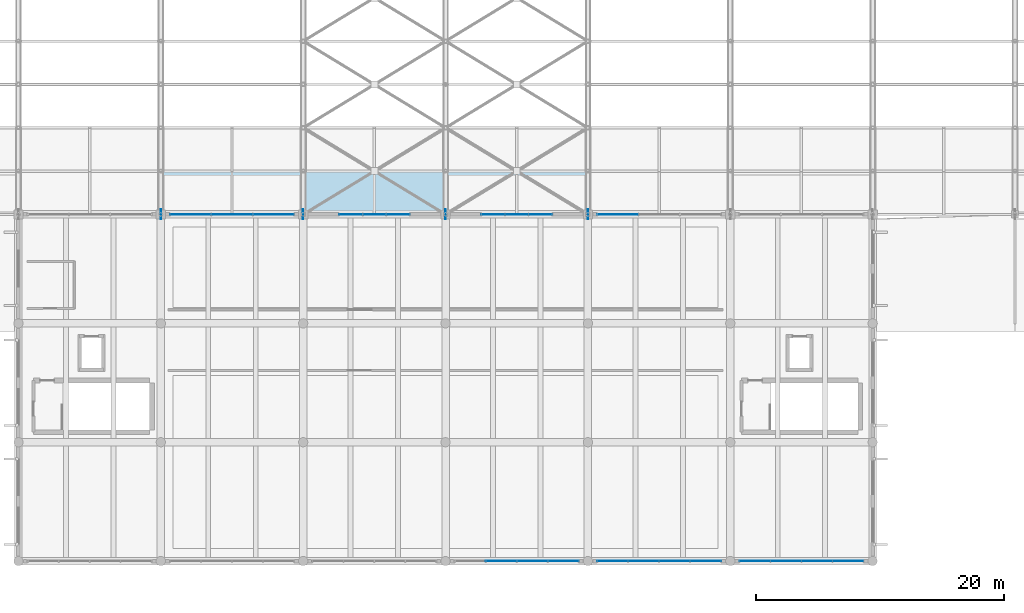
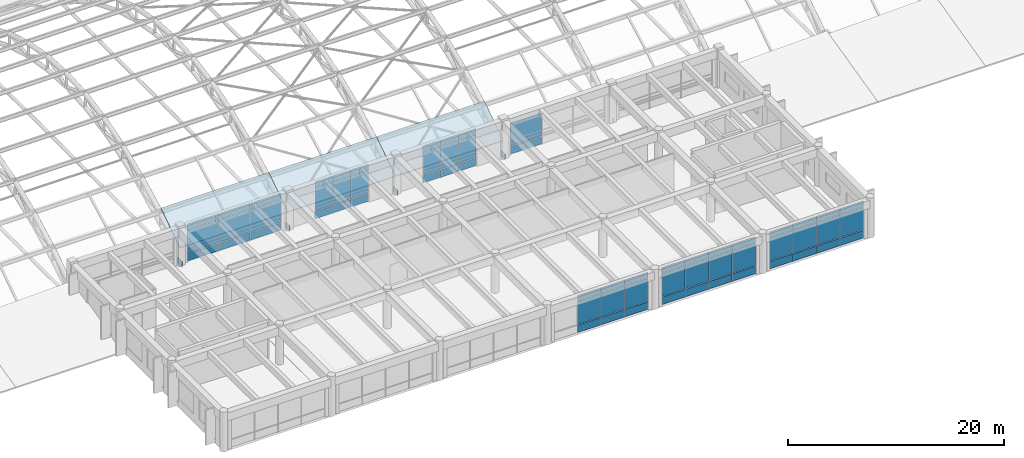
# One storey, part 125 of 154: 66 plates, 3 slabs, 7 elements without a shape of their own.
"""IFC4 building model written with IfcOpenShell, lengths in metres."""

from ifc_helpers import new_model, si_unit, direction, frame, origin, origin_2d, place, context, subcontext, project, spatial, polyline, rectangle, outline, extrude, material, layer, layer_set, type_object, element, aggregate, save


model = new_model("IFC4")

# Units and contexts
model_context = context("Model", 3, precision=1e-05, world=origin(), true_north=direction((0.0, 1.0)))
body_context = subcontext(model_context, "Body", "Model", "MODEL_VIEW")
ifc_project = project(units=[si_unit("LENGTHUNIT", "METRE"), si_unit("AREAUNIT", "SQUARE_METRE"), si_unit("VOLUMEUNIT", "CUBIC_METRE"), si_unit("PLANEANGLEUNIT", "RADIAN"), si_unit("MASSUNIT", "GRAM", prefix="KILO")], contexts=[model_context])

# Site, building, storey
site_placement = place(None, origin())
site = spatial("IfcSite", under=ifc_project, at=site_placement, CompositionType="ELEMENT")
building_placement = place(site_placement, origin())
building = spatial("IfcBuilding", under=site, at=building_placement, Name="Ologun Quay Terminus", CompositionType="ELEMENT")
storey_placement = place(building_placement, frame((0.0, 0.0, 13.800048828125)))
storey = spatial("IfcBuildingStorey", under=building, at=storey_placement, Name="L03", CompositionType="ELEMENT", Elevation=13.800048828125)

# Curtain wall, plates
ifc_material_1 = material(Name="Aluminium 6063-T6", Category="aluminium")
curtain_wall_type_1 = type_object("IfcCurtainWallType", Name="South Pavilion Reading Hall Curtain Wall 10700x4150", PredefinedType="USERDEFINED", material=ifc_material_1)
curtain_wall_1_placement = place(storey_placement, origin())
curtain_wall_1 = element("IfcCurtainWall", 1, at=curtain_wall_1_placement, inside=storey, type_object=curtain_wall_type_1, Name="CW-06 Curtain Wall CW-L03-037", ObjectType="UNITISED CURTAIN WALL", PredefinedType="USERDEFINED")
ifc_material_2 = material(Name="Aluminium 6063-T6", Category="aluminium")
ifc_layer_1 = layer(ifc_material_2, 0.06005859375)
ifc_layer_set_1 = layer_set([ifc_layer_1], Name="Aluminium 6063-T6")
plate_type_1 = type_object("IfcPlateType", Name="Anodised Bronze Spandrel Panel 60", PredefinedType="CURTAIN_PANEL", material=ifc_layer_set_1)
plate_1_placement = place(storey_placement, frame((96.498779296875, 8.0, 0.02978515625), z_axis=(0.0, 0.0, 1.0), x_axis=(1.0, 0.0, 0.0)))
plate_1 = element("IfcPlate", 2, at=plate_1_placement, type_object=plate_type_1, Name="CW-L03-037 Panel B2-1", PredefinedType="CURTAIN_PANEL", context=body_context, shape_type="SweptSolid", body=[
    extrude(rectangle(XDim=2.50244140625, YDim=0.06005859375, at=origin_2d()), origin(), (0.0, 0.0, 1.0), 0.840087890625),
])
plate_2_placement = place(storey_placement, frame((99.001220703125, 8.0, 0.02978515625), z_axis=(0.0, 0.0, 1.0), x_axis=(1.0, 0.0, 0.0)))
plate_2 = element("IfcPlate", 3, at=plate_2_placement, type_object=plate_type_1, Name="CW-L03-037 Panel B3-1", PredefinedType="CURTAIN_PANEL", context=body_context, shape_type="SweptSolid", body=[
    extrude(rectangle(XDim=2.50244140625, YDim=0.06005859375, at=origin_2d()), origin(), (0.0, 0.0, 1.0), 0.840087890625),
])
plate_3_placement = place(storey_placement, frame((101.503662109375, 8.0, 0.02978515625), z_axis=(0.0, 0.0, 1.0), x_axis=(1.0, 0.0, 0.0)))
plate_3 = element("IfcPlate", 4, at=plate_3_placement, type_object=plate_type_1, Name="CW-L03-037 Panel B4-1", PredefinedType="CURTAIN_PANEL", context=body_context, shape_type="SweptSolid", body=[
    extrude(rectangle(XDim=2.50244140625, YDim=0.06005859375, at=origin_2d()), origin(), (0.0, 0.0, 1.0), 0.840087890625),
])

curtain_wall_2_placement = place(storey_placement, origin())
curtain_wall_2 = element("IfcCurtainWall", 5, at=curtain_wall_2_placement, inside=storey, type_object=curtain_wall_type_1, Name="CW-06 Curtain Wall CW-L03-038", ObjectType="UNITISED CURTAIN WALL", PredefinedType="USERDEFINED")
plate_4_placement = place(storey_placement, frame((105.496337890625, 8.0, 0.02978515625), z_axis=(0.0, 0.0, 1.0), x_axis=(1.0, 0.0, 0.0)))
plate_4 = element("IfcPlate", 6, at=plate_4_placement, type_object=plate_type_1, Name="CW-L03-038 Panel B1-1", PredefinedType="CURTAIN_PANEL", context=body_context, shape_type="SweptSolid", body=[
    extrude(rectangle(XDim=2.50244140625, YDim=0.06005859375, at=origin_2d()), origin(), (0.0, 0.0, 1.0), 0.840087890625),
])
plate_5_placement = place(storey_placement, frame((107.998779296875, 8.0, 0.02978515625), z_axis=(0.0, 0.0, 1.0), x_axis=(1.0, 0.0, 0.0)))
plate_5 = element("IfcPlate", 7, at=plate_5_placement, type_object=plate_type_1, Name="CW-L03-038 Panel B2-1", PredefinedType="CURTAIN_PANEL", context=body_context, shape_type="SweptSolid", body=[
    extrude(rectangle(XDim=2.50244140625, YDim=0.06005859375, at=origin_2d()), origin(), (0.0, 0.0, 1.0), 0.840087890625),
])
plate_6_placement = place(storey_placement, frame((110.501220703125, 8.0, 0.02978515625), z_axis=(0.0, 0.0, 1.0), x_axis=(1.0, 0.0, 0.0)))
plate_6 = element("IfcPlate", 8, at=plate_6_placement, type_object=plate_type_1, Name="CW-L03-038 Panel B3-1", PredefinedType="CURTAIN_PANEL", context=body_context, shape_type="SweptSolid", body=[
    extrude(rectangle(XDim=2.50244140625, YDim=0.06005859375, at=origin_2d()), origin(), (0.0, 0.0, 1.0), 0.840087890625),
])
plate_7_placement = place(storey_placement, frame((113.003662109375, 8.0, 0.02978515625), z_axis=(0.0, 0.0, 1.0), x_axis=(1.0, 0.0, 0.0)))
plate_7 = element("IfcPlate", 9, at=plate_7_placement, type_object=plate_type_1, Name="CW-L03-038 Panel B4-1", PredefinedType="CURTAIN_PANEL", context=body_context, shape_type="SweptSolid", body=[
    extrude(rectangle(XDim=2.50244140625, YDim=0.06005859375, at=origin_2d()), origin(), (0.0, 0.0, 1.0), 0.840087890625),
])

curtain_wall_3_placement = place(storey_placement, origin())
curtain_wall_3 = element("IfcCurtainWall", 10, at=curtain_wall_3_placement, inside=storey, type_object=curtain_wall_type_1, Name="CW-06 Curtain Wall CW-L03-039", ObjectType="UNITISED CURTAIN WALL", PredefinedType="USERDEFINED")
plate_8_placement = place(storey_placement, frame((116.996337890625, 8.0, 0.02978515625), z_axis=(0.0, 0.0, 1.0), x_axis=(1.0, 0.0, 0.0)))
plate_8 = element("IfcPlate", 11, at=plate_8_placement, type_object=plate_type_1, Name="CW-L03-039 Panel B1-1", PredefinedType="CURTAIN_PANEL", context=body_context, shape_type="SweptSolid", body=[
    extrude(rectangle(XDim=2.50244140625, YDim=0.06005859375, at=origin_2d()), origin(), (0.0, 0.0, 1.0), 0.840087890625),
])
plate_9_placement = place(storey_placement, frame((119.498779296875, 8.0, 0.02978515625), z_axis=(0.0, 0.0, 1.0), x_axis=(1.0, 0.0, 0.0)))
plate_9 = element("IfcPlate", 12, at=plate_9_placement, type_object=plate_type_1, Name="CW-L03-039 Panel B2-1", PredefinedType="CURTAIN_PANEL", context=body_context, shape_type="SweptSolid", body=[
    extrude(rectangle(XDim=2.50244140625, YDim=0.06005859375, at=origin_2d()), origin(), (0.0, 0.0, 1.0), 0.840087890625),
])
plate_10_placement = place(storey_placement, frame((122.001220703125, 8.0, 0.02978515625), z_axis=(0.0, 0.0, 1.0), x_axis=(1.0, 0.0, 0.0)))
plate_10 = element("IfcPlate", 13, at=plate_10_placement, type_object=plate_type_1, Name="CW-L03-039 Panel B3-1", PredefinedType="CURTAIN_PANEL", context=body_context, shape_type="SweptSolid", body=[
    extrude(rectangle(XDim=2.50244140625, YDim=0.06005859375, at=origin_2d()), origin(), (0.0, 0.0, 1.0), 0.840087890625),
])
plate_11_placement = place(storey_placement, frame((124.503662109375, 8.0, 0.02978515625), z_axis=(0.0, 0.0, 1.0), x_axis=(1.0, 0.0, 0.0)))
plate_11 = element("IfcPlate", 14, at=plate_11_placement, type_object=plate_type_1, Name="CW-L03-039 Panel B4-1", PredefinedType="CURTAIN_PANEL", context=body_context, shape_type="SweptSolid", body=[
    extrude(rectangle(XDim=2.50244140625, YDim=0.06005859375, at=origin_2d()), origin(), (0.0, 0.0, 1.0), 0.840087890625),
])

# Plates
ifc_material_3 = material(Name="Steel S355", Category="steel")
ifc_layer_2 = layer(ifc_material_3, 0.0400390625)
ifc_layer_set_2 = layer_set([ifc_layer_2], Name="Steel S355")
plate_type_2 = type_object("IfcPlateType", Name="Arch Springing Steel Gusset Plate 40", PredefinedType="SHEET", material=ifc_layer_set_2)
for number, where, z_axis, x_axis, name in (
    (15, (69.0, 36.0, -0.2001953125), (0.0, 0.0, 1.0), (0.0, 1.0, 0.0), "PL-GUS Arch Springing Gusset 7/E"),
    (16, (80.5, 36.0, -0.2001953125), (0.0, 0.0, 1.0), (0.0, 1.0, 0.0), "PL-GUS Arch Springing Gusset 8/E"),
    (17, (92.0, 36.0, -0.2001953125), (0.0, 0.0, 1.0), (0.0, 1.0, 0.0), "PL-GUS Arch Springing Gusset 9/E"),
    (18, (103.5, 36.0, -0.2001953125), (0.0, 0.0, 1.0), (0.0, 1.0, 0.0), "PL-GUS Arch Springing Gusset 10/E"),
):
    element("IfcPlate", number, at=place(storey_placement, frame(where, z_axis=z_axis, x_axis=x_axis)), inside=storey, type_object=plate_type_2, Name=name, PredefinedType="SHEET", context=body_context, shape_type="SweptSolid", body=[
        extrude(rectangle(XDim=0.800048828125, YDim=0.0400390625, at=origin_2d()), origin(), (0.0, 0.0, 1.0), 0.699951171875),
    ])

# Curtain wall, plates
ifc_material_4 = material(Name="Aluminium 6063-T6", Category="aluminium")
curtain_wall_type_2 = type_object("IfcCurtainWallType", Name="South Pavilion Clerestory Curtain Wall 10700x4050", PredefinedType="USERDEFINED", material=ifc_material_4)
curtain_wall_4_placement = place(storey_placement, origin())
curtain_wall_4 = element("IfcCurtainWall", 19, at=curtain_wall_4_placement, inside=storey, type_object=curtain_wall_type_2, Name="CW-07 Curtain Wall CW-L03-041", ObjectType="UNITISED CURTAIN WALL", PredefinedType="USERDEFINED")
ifc_material_5 = material(Name="Aluminium 6063-T6", Category="aluminium")
ifc_layer_3 = layer(ifc_material_5, 0.050048828125)
ifc_layer_set_3 = layer_set([ifc_layer_3], Name="Aluminium 6063-T6")
plate_type_3 = type_object("IfcPlateType", Name="Insulated Aluminium Shadow-Box Spandrel 50", PredefinedType="CURTAIN_PANEL", material=ifc_layer_set_3)
plate_12_placement = place(storey_placement, frame((71.413330078125, 36.0, 0.02978515625), z_axis=(0.0, 0.0, 1.0), x_axis=(1.0, 0.0, 0.0)))
plate_12 = element("IfcPlate", 20, at=plate_12_placement, type_object=plate_type_3, Name="CW-L03-041 Panel B1-1", PredefinedType="CURTAIN_PANEL", context=body_context, shape_type="SweptSolid", body=[
    extrude(rectangle(XDim=3.336669921875, YDim=0.050048828125, at=origin_2d()), origin(), (0.0, 0.0, 1.0), 0.840087890625),
])
plate_13_placement = place(storey_placement, frame((74.75, 36.0, 0.02978515625), z_axis=(0.0, 0.0, 1.0), x_axis=(1.0, 0.0, 0.0)))
plate_13 = element("IfcPlate", 21, at=plate_13_placement, type_object=plate_type_3, Name="CW-L03-041 Panel B2-1", PredefinedType="CURTAIN_PANEL", context=body_context, shape_type="SweptSolid", body=[
    extrude(rectangle(XDim=3.336669921875, YDim=0.050048828125, at=origin_2d()), origin(), (0.0, 0.0, 1.0), 0.840087890625),
])
plate_14_placement = place(storey_placement, frame((78.086669921875, 36.0, 0.02978515625), z_axis=(0.0, 0.0, 1.0), x_axis=(1.0, 0.0, 0.0)))
plate_14 = element("IfcPlate", 22, at=plate_14_placement, type_object=plate_type_3, Name="CW-L03-041 Panel B3-1", PredefinedType="CURTAIN_PANEL", context=body_context, shape_type="SweptSolid", body=[
    extrude(rectangle(XDim=3.336669921875, YDim=0.050048828125, at=origin_2d()), origin(), (0.0, 0.0, 1.0), 0.840087890625),
])

curtain_wall_5_placement = place(storey_placement, origin())
curtain_wall_5 = element("IfcCurtainWall", 23, at=curtain_wall_5_placement, inside=storey, type_object=curtain_wall_type_2, Name="CW-07 Curtain Wall CW-L03-042", ObjectType="UNITISED CURTAIN WALL", PredefinedType="USERDEFINED")
plate_15_placement = place(storey_placement, frame((84.3466796875, 36.0, 0.02978515625), z_axis=(0.0, 0.0, 1.0), x_axis=(1.0, 0.0, 0.0)))
plate_15 = element("IfcPlate", 24, at=plate_15_placement, type_object=plate_type_3, Name="CW-L03-042 Panel B1-1", PredefinedType="CURTAIN_PANEL", context=body_context, shape_type="SweptSolid", body=[
    extrude(rectangle(XDim=1.9033203125, YDim=0.050048828125, at=origin_2d()), origin(), (0.0, 0.0, 1.0), 0.840087890625),
])
plate_16_placement = place(storey_placement, frame((86.25, 36.0, 0.02978515625), z_axis=(0.0, 0.0, 1.0), x_axis=(1.0, 0.0, 0.0)))
plate_16 = element("IfcPlate", 25, at=plate_16_placement, type_object=plate_type_3, Name="CW-L03-042 Panel B2-1", PredefinedType="CURTAIN_PANEL", context=body_context, shape_type="SweptSolid", body=[
    extrude(rectangle(XDim=1.9033203125, YDim=0.050048828125, at=origin_2d()), origin(), (0.0, 0.0, 1.0), 0.840087890625),
])
plate_17_placement = place(storey_placement, frame((88.1533203125, 36.0, 0.02978515625), z_axis=(0.0, 0.0, 1.0), x_axis=(1.0, 0.0, 0.0)))
plate_17 = element("IfcPlate", 26, at=plate_17_placement, type_object=plate_type_3, Name="CW-L03-042 Panel B3-1", PredefinedType="CURTAIN_PANEL", context=body_context, shape_type="SweptSolid", body=[
    extrude(rectangle(XDim=1.9033203125, YDim=0.050048828125, at=origin_2d()), origin(), (0.0, 0.0, 1.0), 0.840087890625),
])

curtain_wall_6_placement = place(storey_placement, origin())
curtain_wall_6 = element("IfcCurtainWall", 27, at=curtain_wall_6_placement, inside=storey, type_object=curtain_wall_type_2, Name="CW-07 Curtain Wall CW-L03-043", ObjectType="UNITISED CURTAIN WALL", PredefinedType="USERDEFINED")
plate_18_placement = place(storey_placement, frame((95.8466796875, 36.0, 0.02978515625), z_axis=(0.0, 0.0, 1.0), x_axis=(1.0, 0.0, 0.0)))
plate_18 = element("IfcPlate", 28, at=plate_18_placement, type_object=plate_type_3, Name="CW-L03-043 Panel B1-1", PredefinedType="CURTAIN_PANEL", context=body_context, shape_type="SweptSolid", body=[
    extrude(rectangle(XDim=1.9033203125, YDim=0.050048828125, at=origin_2d()), origin(), (0.0, 0.0, 1.0), 0.840087890625),
])
plate_19_placement = place(storey_placement, frame((97.75, 36.0, 0.02978515625), z_axis=(0.0, 0.0, 1.0), x_axis=(1.0, 0.0, 0.0)))
plate_19 = element("IfcPlate", 29, at=plate_19_placement, type_object=plate_type_3, Name="CW-L03-043 Panel B2-1", PredefinedType="CURTAIN_PANEL", context=body_context, shape_type="SweptSolid", body=[
    extrude(rectangle(XDim=1.9033203125, YDim=0.050048828125, at=origin_2d()), origin(), (0.0, 0.0, 1.0), 0.840087890625),
])
plate_20_placement = place(storey_placement, frame((99.6533203125, 36.0, 0.02978515625), z_axis=(0.0, 0.0, 1.0), x_axis=(1.0, 0.0, 0.0)))
plate_20 = element("IfcPlate", 30, at=plate_20_placement, type_object=plate_type_3, Name="CW-L03-043 Panel B3-1", PredefinedType="CURTAIN_PANEL", context=body_context, shape_type="SweptSolid", body=[
    extrude(rectangle(XDim=1.9033203125, YDim=0.050048828125, at=origin_2d()), origin(), (0.0, 0.0, 1.0), 0.840087890625),
])

# Curtain wall, plate
curtain_wall_7_placement = place(storey_placement, origin())
curtain_wall_7 = element("IfcCurtainWall", 31, at=curtain_wall_7_placement, inside=storey, type_object=curtain_wall_type_2, Name="CW-07 Curtain Wall CW-L03-044", ObjectType="UNITISED CURTAIN WALL", PredefinedType="USERDEFINED")
plate_21_placement = place(storey_placement, frame((105.913330078125, 36.0, 0.02978515625), z_axis=(0.0, 0.0, 1.0), x_axis=(1.0, 0.0, 0.0)))
plate_21 = element("IfcPlate", 32, at=plate_21_placement, type_object=plate_type_3, Name="CW-L03-044 Panel B1-1", PredefinedType="CURTAIN_PANEL", context=body_context, shape_type="SweptSolid", body=[
    extrude(rectangle(XDim=3.336669921875, YDim=0.050048828125, at=origin_2d()), origin(), (0.0, 0.0, 1.0), 0.840087890625),
])

# Plate
ifc_material_6 = material(Name="Glass", Category="glass")
ifc_layer_4 = layer(ifc_material_6, 0.028076171875)
ifc_layer_set_4 = layer_set([ifc_layer_4], Name="Glass")
plate_type_4 = type_object("IfcPlateType", Name="Solar-Control Double Glazed Panel 28", PredefinedType="CURTAIN_PANEL", material=ifc_layer_set_4)
plate_22_placement = place(storey_placement, frame((96.498779296875, 8.0, 0.929931640625), z_axis=(0.0, 0.0, 1.0), x_axis=(1.0, 0.0, 0.0)))
plate_22 = element("IfcPlate", 33, at=plate_22_placement, type_object=plate_type_4, Name="CW-L03-037 Panel B2-2", PredefinedType="CURTAIN_PANEL", context=body_context, shape_type="SweptSolid", body=[
    extrude(rectangle(XDim=2.50244140625, YDim=0.028076171875, at=origin_2d()), origin(), (0.0, 0.0, 1.0), 2.580078125),
])

plate_23_placement = place(storey_placement, frame((96.498779296875, 8.0, 3.56982421875), z_axis=(0.0, 0.0, 1.0), x_axis=(1.0, 0.0, 0.0)))
plate_23 = element("IfcPlate", 34, at=plate_23_placement, type_object=plate_type_4, Name="CW-L03-037 Panel B2-3", PredefinedType="CURTAIN_PANEL", context=body_context, shape_type="SweptSolid", body=[
    extrude(rectangle(XDim=2.50244140625, YDim=0.028076171875, at=origin_2d()), origin(), (0.0, 0.0, 1.0), 0.639892578125),
])

plate_24_placement = place(storey_placement, frame((99.001220703125, 8.0, 0.929931640625), z_axis=(0.0, 0.0, 1.0), x_axis=(1.0, 0.0, 0.0)))
plate_24 = element("IfcPlate", 35, at=plate_24_placement, type_object=plate_type_4, Name="CW-L03-037 Panel B3-2", PredefinedType="CURTAIN_PANEL", context=body_context, shape_type="SweptSolid", body=[
    extrude(rectangle(XDim=2.50244140625, YDim=0.028076171875, at=origin_2d()), origin(), (0.0, 0.0, 1.0), 2.580078125),
])

plate_25_placement = place(storey_placement, frame((99.001220703125, 8.0, 3.56982421875), z_axis=(0.0, 0.0, 1.0), x_axis=(1.0, 0.0, 0.0)))
plate_25 = element("IfcPlate", 36, at=plate_25_placement, type_object=plate_type_4, Name="CW-L03-037 Panel B3-3", PredefinedType="CURTAIN_PANEL", context=body_context, shape_type="SweptSolid", body=[
    extrude(rectangle(XDim=2.50244140625, YDim=0.028076171875, at=origin_2d()), origin(), (0.0, 0.0, 1.0), 0.639892578125),
])

plate_26_placement = place(storey_placement, frame((101.503662109375, 8.0, 0.929931640625), z_axis=(0.0, 0.0, 1.0), x_axis=(1.0, 0.0, 0.0)))
plate_26 = element("IfcPlate", 37, at=plate_26_placement, type_object=plate_type_4, Name="CW-L03-037 Panel B4-2", PredefinedType="CURTAIN_PANEL", context=body_context, shape_type="SweptSolid", body=[
    extrude(rectangle(XDim=2.50244140625, YDim=0.028076171875, at=origin_2d()), origin(), (0.0, 0.0, 1.0), 2.580078125),
])

plate_27_placement = place(storey_placement, frame((101.503662109375, 8.0, 3.56982421875), z_axis=(0.0, 0.0, 1.0), x_axis=(1.0, 0.0, 0.0)))
plate_27 = element("IfcPlate", 38, at=plate_27_placement, type_object=plate_type_4, Name="CW-L03-037 Panel B4-3", PredefinedType="CURTAIN_PANEL", context=body_context, shape_type="SweptSolid", body=[
    extrude(rectangle(XDim=2.50244140625, YDim=0.028076171875, at=origin_2d()), origin(), (0.0, 0.0, 1.0), 0.639892578125),
])

aggregate(curtain_wall_1, [plate_1, plate_22, plate_23, plate_2, plate_24, plate_25, plate_3, plate_26, plate_27])

plate_28_placement = place(storey_placement, frame((105.496337890625, 8.0, 0.929931640625), z_axis=(0.0, 0.0, 1.0), x_axis=(1.0, 0.0, 0.0)))
plate_28 = element("IfcPlate", 39, at=plate_28_placement, type_object=plate_type_4, Name="CW-L03-038 Panel B1-2", PredefinedType="CURTAIN_PANEL", context=body_context, shape_type="SweptSolid", body=[
    extrude(rectangle(XDim=2.50244140625, YDim=0.028076171875, at=origin_2d()), origin(), (0.0, 0.0, 1.0), 2.580078125),
])

plate_29_placement = place(storey_placement, frame((105.496337890625, 8.0, 3.56982421875), z_axis=(0.0, 0.0, 1.0), x_axis=(1.0, 0.0, 0.0)))
plate_29 = element("IfcPlate", 40, at=plate_29_placement, type_object=plate_type_4, Name="CW-L03-038 Panel B1-3", PredefinedType="CURTAIN_PANEL", context=body_context, shape_type="SweptSolid", body=[
    extrude(rectangle(XDim=2.50244140625, YDim=0.028076171875, at=origin_2d()), origin(), (0.0, 0.0, 1.0), 0.639892578125),
])

plate_30_placement = place(storey_placement, frame((107.998779296875, 8.0, 0.929931640625), z_axis=(0.0, 0.0, 1.0), x_axis=(1.0, 0.0, 0.0)))
plate_30 = element("IfcPlate", 41, at=plate_30_placement, type_object=plate_type_4, Name="CW-L03-038 Panel B2-2", PredefinedType="CURTAIN_PANEL", context=body_context, shape_type="SweptSolid", body=[
    extrude(rectangle(XDim=2.50244140625, YDim=0.028076171875, at=origin_2d()), origin(), (0.0, 0.0, 1.0), 2.580078125),
])

plate_31_placement = place(storey_placement, frame((107.998779296875, 8.0, 3.56982421875), z_axis=(0.0, 0.0, 1.0), x_axis=(1.0, 0.0, 0.0)))
plate_31 = element("IfcPlate", 42, at=plate_31_placement, type_object=plate_type_4, Name="CW-L03-038 Panel B2-3", PredefinedType="CURTAIN_PANEL", context=body_context, shape_type="SweptSolid", body=[
    extrude(rectangle(XDim=2.50244140625, YDim=0.028076171875, at=origin_2d()), origin(), (0.0, 0.0, 1.0), 0.639892578125),
])

plate_32_placement = place(storey_placement, frame((110.501220703125, 8.0, 0.929931640625), z_axis=(0.0, 0.0, 1.0), x_axis=(1.0, 0.0, 0.0)))
plate_32 = element("IfcPlate", 43, at=plate_32_placement, type_object=plate_type_4, Name="CW-L03-038 Panel B3-2", PredefinedType="CURTAIN_PANEL", context=body_context, shape_type="SweptSolid", body=[
    extrude(rectangle(XDim=2.50244140625, YDim=0.028076171875, at=origin_2d()), origin(), (0.0, 0.0, 1.0), 2.580078125),
])

plate_33_placement = place(storey_placement, frame((110.501220703125, 8.0, 3.56982421875), z_axis=(0.0, 0.0, 1.0), x_axis=(1.0, 0.0, 0.0)))
plate_33 = element("IfcPlate", 44, at=plate_33_placement, type_object=plate_type_4, Name="CW-L03-038 Panel B3-3", PredefinedType="CURTAIN_PANEL", context=body_context, shape_type="SweptSolid", body=[
    extrude(rectangle(XDim=2.50244140625, YDim=0.028076171875, at=origin_2d()), origin(), (0.0, 0.0, 1.0), 0.639892578125),
])

plate_34_placement = place(storey_placement, frame((113.003662109375, 8.0, 0.929931640625), z_axis=(0.0, 0.0, 1.0), x_axis=(1.0, 0.0, 0.0)))
plate_34 = element("IfcPlate", 45, at=plate_34_placement, type_object=plate_type_4, Name="CW-L03-038 Panel B4-2", PredefinedType="CURTAIN_PANEL", context=body_context, shape_type="SweptSolid", body=[
    extrude(rectangle(XDim=2.50244140625, YDim=0.028076171875, at=origin_2d()), origin(), (0.0, 0.0, 1.0), 2.580078125),
])

plate_35_placement = place(storey_placement, frame((113.003662109375, 8.0, 3.56982421875), z_axis=(0.0, 0.0, 1.0), x_axis=(1.0, 0.0, 0.0)))
plate_35 = element("IfcPlate", 46, at=plate_35_placement, type_object=plate_type_4, Name="CW-L03-038 Panel B4-3", PredefinedType="CURTAIN_PANEL", context=body_context, shape_type="SweptSolid", body=[
    extrude(rectangle(XDim=2.50244140625, YDim=0.028076171875, at=origin_2d()), origin(), (0.0, 0.0, 1.0), 0.639892578125),
])

aggregate(curtain_wall_2, [plate_4, plate_28, plate_29, plate_5, plate_30, plate_31, plate_6, plate_32, plate_33, plate_7, plate_34, plate_35])

plate_36_placement = place(storey_placement, frame((116.996337890625, 8.0, 0.929931640625), z_axis=(0.0, 0.0, 1.0), x_axis=(1.0, 0.0, 0.0)))
plate_36 = element("IfcPlate", 47, at=plate_36_placement, type_object=plate_type_4, Name="CW-L03-039 Panel B1-2", PredefinedType="CURTAIN_PANEL", context=body_context, shape_type="SweptSolid", body=[
    extrude(rectangle(XDim=2.50244140625, YDim=0.028076171875, at=origin_2d()), origin(), (0.0, 0.0, 1.0), 2.580078125),
])

plate_37_placement = place(storey_placement, frame((116.996337890625, 8.0, 3.56982421875), z_axis=(0.0, 0.0, 1.0), x_axis=(1.0, 0.0, 0.0)))
plate_37 = element("IfcPlate", 48, at=plate_37_placement, type_object=plate_type_4, Name="CW-L03-039 Panel B1-3", PredefinedType="CURTAIN_PANEL", context=body_context, shape_type="SweptSolid", body=[
    extrude(rectangle(XDim=2.50244140625, YDim=0.028076171875, at=origin_2d()), origin(), (0.0, 0.0, 1.0), 0.639892578125),
])

plate_38_placement = place(storey_placement, frame((119.498779296875, 8.0, 0.929931640625), z_axis=(0.0, 0.0, 1.0), x_axis=(1.0, 0.0, 0.0)))
plate_38 = element("IfcPlate", 49, at=plate_38_placement, type_object=plate_type_4, Name="CW-L03-039 Panel B2-2", PredefinedType="CURTAIN_PANEL", context=body_context, shape_type="SweptSolid", body=[
    extrude(rectangle(XDim=2.50244140625, YDim=0.028076171875, at=origin_2d()), origin(), (0.0, 0.0, 1.0), 2.580078125),
])

plate_39_placement = place(storey_placement, frame((119.498779296875, 8.0, 3.56982421875), z_axis=(0.0, 0.0, 1.0), x_axis=(1.0, 0.0, 0.0)))
plate_39 = element("IfcPlate", 50, at=plate_39_placement, type_object=plate_type_4, Name="CW-L03-039 Panel B2-3", PredefinedType="CURTAIN_PANEL", context=body_context, shape_type="SweptSolid", body=[
    extrude(rectangle(XDim=2.50244140625, YDim=0.028076171875, at=origin_2d()), origin(), (0.0, 0.0, 1.0), 0.639892578125),
])

plate_40_placement = place(storey_placement, frame((122.001220703125, 8.0, 0.929931640625), z_axis=(0.0, 0.0, 1.0), x_axis=(1.0, 0.0, 0.0)))
plate_40 = element("IfcPlate", 51, at=plate_40_placement, type_object=plate_type_4, Name="CW-L03-039 Panel B3-2", PredefinedType="CURTAIN_PANEL", context=body_context, shape_type="SweptSolid", body=[
    extrude(rectangle(XDim=2.50244140625, YDim=0.028076171875, at=origin_2d()), origin(), (0.0, 0.0, 1.0), 2.580078125),
])

plate_41_placement = place(storey_placement, frame((122.001220703125, 8.0, 3.56982421875), z_axis=(0.0, 0.0, 1.0), x_axis=(1.0, 0.0, 0.0)))
plate_41 = element("IfcPlate", 52, at=plate_41_placement, type_object=plate_type_4, Name="CW-L03-039 Panel B3-3", PredefinedType="CURTAIN_PANEL", context=body_context, shape_type="SweptSolid", body=[
    extrude(rectangle(XDim=2.50244140625, YDim=0.028076171875, at=origin_2d()), origin(), (0.0, 0.0, 1.0), 0.639892578125),
])

plate_42_placement = place(storey_placement, frame((124.503662109375, 8.0, 0.929931640625), z_axis=(0.0, 0.0, 1.0), x_axis=(1.0, 0.0, 0.0)))
plate_42 = element("IfcPlate", 53, at=plate_42_placement, type_object=plate_type_4, Name="CW-L03-039 Panel B4-2", PredefinedType="CURTAIN_PANEL", context=body_context, shape_type="SweptSolid", body=[
    extrude(rectangle(XDim=2.50244140625, YDim=0.028076171875, at=origin_2d()), origin(), (0.0, 0.0, 1.0), 2.580078125),
])

plate_43_placement = place(storey_placement, frame((124.503662109375, 8.0, 3.56982421875), z_axis=(0.0, 0.0, 1.0), x_axis=(1.0, 0.0, 0.0)))
plate_43 = element("IfcPlate", 54, at=plate_43_placement, type_object=plate_type_4, Name="CW-L03-039 Panel B4-3", PredefinedType="CURTAIN_PANEL", context=body_context, shape_type="SweptSolid", body=[
    extrude(rectangle(XDim=2.50244140625, YDim=0.028076171875, at=origin_2d()), origin(), (0.0, 0.0, 1.0), 0.639892578125),
])

aggregate(curtain_wall_3, [plate_8, plate_36, plate_37, plate_9, plate_38, plate_39, plate_10, plate_40, plate_41, plate_11, plate_42, plate_43])

plate_44_placement = place(storey_placement, frame((71.413330078125, 36.0, 0.929931640625), z_axis=(0.0, 0.0, 1.0), x_axis=(1.0, 0.0, 0.0)))
plate_44 = element("IfcPlate", 55, at=plate_44_placement, type_object=plate_type_4, Name="CW-L03-041 Panel B1-2", PredefinedType="CURTAIN_PANEL", context=body_context, shape_type="SweptSolid", body=[
    extrude(rectangle(XDim=3.336669921875, YDim=0.028076171875, at=origin_2d()), origin(), (0.0, 0.0, 1.0), 2.580078125),
])

plate_45_placement = place(storey_placement, frame((71.413330078125, 36.0, 3.56982421875), z_axis=(0.0, 0.0, 1.0), x_axis=(1.0, 0.0, 0.0)))
plate_45 = element("IfcPlate", 56, at=plate_45_placement, type_object=plate_type_4, Name="CW-L03-041 Panel B1-3", PredefinedType="CURTAIN_PANEL", context=body_context, shape_type="SweptSolid", body=[
    extrude(rectangle(XDim=3.336669921875, YDim=0.028076171875, at=origin_2d()), origin(), (0.0, 0.0, 1.0), 0.639892578125),
])

plate_46_placement = place(storey_placement, frame((74.75, 36.0, 0.929931640625), z_axis=(0.0, 0.0, 1.0), x_axis=(1.0, 0.0, 0.0)))
plate_46 = element("IfcPlate", 57, at=plate_46_placement, type_object=plate_type_4, Name="CW-L03-041 Panel B2-2", PredefinedType="CURTAIN_PANEL", context=body_context, shape_type="SweptSolid", body=[
    extrude(rectangle(XDim=3.336669921875, YDim=0.028076171875, at=origin_2d()), origin(), (0.0, 0.0, 1.0), 2.580078125),
])

plate_47_placement = place(storey_placement, frame((74.75, 36.0, 3.56982421875), z_axis=(0.0, 0.0, 1.0), x_axis=(1.0, 0.0, 0.0)))
plate_47 = element("IfcPlate", 58, at=plate_47_placement, type_object=plate_type_4, Name="CW-L03-041 Panel B2-3", PredefinedType="CURTAIN_PANEL", context=body_context, shape_type="SweptSolid", body=[
    extrude(rectangle(XDim=3.336669921875, YDim=0.028076171875, at=origin_2d()), origin(), (0.0, 0.0, 1.0), 0.639892578125),
])

plate_48_placement = place(storey_placement, frame((78.086669921875, 36.0, 0.929931640625), z_axis=(0.0, 0.0, 1.0), x_axis=(1.0, 0.0, 0.0)))
plate_48 = element("IfcPlate", 59, at=plate_48_placement, type_object=plate_type_4, Name="CW-L03-041 Panel B3-2", PredefinedType="CURTAIN_PANEL", context=body_context, shape_type="SweptSolid", body=[
    extrude(rectangle(XDim=3.336669921875, YDim=0.028076171875, at=origin_2d()), origin(), (0.0, 0.0, 1.0), 2.580078125),
])

plate_49_placement = place(storey_placement, frame((78.086669921875, 36.0, 3.56982421875), z_axis=(0.0, 0.0, 1.0), x_axis=(1.0, 0.0, 0.0)))
plate_49 = element("IfcPlate", 60, at=plate_49_placement, type_object=plate_type_4, Name="CW-L03-041 Panel B3-3", PredefinedType="CURTAIN_PANEL", context=body_context, shape_type="SweptSolid", body=[
    extrude(rectangle(XDim=3.336669921875, YDim=0.028076171875, at=origin_2d()), origin(), (0.0, 0.0, 1.0), 0.639892578125),
])

aggregate(curtain_wall_4, [plate_12, plate_44, plate_45, plate_13, plate_46, plate_47, plate_14, plate_48, plate_49])

plate_50_placement = place(storey_placement, frame((84.3466796875, 36.0, 0.929931640625), z_axis=(0.0, 0.0, 1.0), x_axis=(1.0, 0.0, 0.0)))
plate_50 = element("IfcPlate", 61, at=plate_50_placement, type_object=plate_type_4, Name="CW-L03-042 Panel B1-2", PredefinedType="CURTAIN_PANEL", context=body_context, shape_type="SweptSolid", body=[
    extrude(rectangle(XDim=1.9033203125, YDim=0.028076171875, at=origin_2d()), origin(), (0.0, 0.0, 1.0), 2.580078125),
])

plate_51_placement = place(storey_placement, frame((84.3466796875, 36.0, 3.56982421875), z_axis=(0.0, 0.0, 1.0), x_axis=(1.0, 0.0, 0.0)))
plate_51 = element("IfcPlate", 62, at=plate_51_placement, type_object=plate_type_4, Name="CW-L03-042 Panel B1-3", PredefinedType="CURTAIN_PANEL", context=body_context, shape_type="SweptSolid", body=[
    extrude(rectangle(XDim=1.9033203125, YDim=0.028076171875, at=origin_2d()), origin(), (0.0, 0.0, 1.0), 0.639892578125),
])

plate_52_placement = place(storey_placement, frame((86.25, 36.0, 0.929931640625), z_axis=(0.0, 0.0, 1.0), x_axis=(1.0, 0.0, 0.0)))
plate_52 = element("IfcPlate", 63, at=plate_52_placement, type_object=plate_type_4, Name="CW-L03-042 Panel B2-2", PredefinedType="CURTAIN_PANEL", context=body_context, shape_type="SweptSolid", body=[
    extrude(rectangle(XDim=1.9033203125, YDim=0.028076171875, at=origin_2d()), origin(), (0.0, 0.0, 1.0), 2.580078125),
])

plate_53_placement = place(storey_placement, frame((86.25, 36.0, 3.56982421875), z_axis=(0.0, 0.0, 1.0), x_axis=(1.0, 0.0, 0.0)))
plate_53 = element("IfcPlate", 64, at=plate_53_placement, type_object=plate_type_4, Name="CW-L03-042 Panel B2-3", PredefinedType="CURTAIN_PANEL", context=body_context, shape_type="SweptSolid", body=[
    extrude(rectangle(XDim=1.9033203125, YDim=0.028076171875, at=origin_2d()), origin(), (0.0, 0.0, 1.0), 0.639892578125),
])

plate_54_placement = place(storey_placement, frame((88.1533203125, 36.0, 0.929931640625), z_axis=(0.0, 0.0, 1.0), x_axis=(1.0, 0.0, 0.0)))
plate_54 = element("IfcPlate", 65, at=plate_54_placement, type_object=plate_type_4, Name="CW-L03-042 Panel B3-2", PredefinedType="CURTAIN_PANEL", context=body_context, shape_type="SweptSolid", body=[
    extrude(rectangle(XDim=1.9033203125, YDim=0.028076171875, at=origin_2d()), origin(), (0.0, 0.0, 1.0), 2.580078125),
])

plate_55_placement = place(storey_placement, frame((88.1533203125, 36.0, 3.56982421875), z_axis=(0.0, 0.0, 1.0), x_axis=(1.0, 0.0, 0.0)))
plate_55 = element("IfcPlate", 66, at=plate_55_placement, type_object=plate_type_4, Name="CW-L03-042 Panel B3-3", PredefinedType="CURTAIN_PANEL", context=body_context, shape_type="SweptSolid", body=[
    extrude(rectangle(XDim=1.9033203125, YDim=0.028076171875, at=origin_2d()), origin(), (0.0, 0.0, 1.0), 0.639892578125),
])

aggregate(curtain_wall_5, [plate_15, plate_50, plate_51, plate_16, plate_52, plate_53, plate_17, plate_54, plate_55])

plate_56_placement = place(storey_placement, frame((95.8466796875, 36.0, 0.929931640625), z_axis=(0.0, 0.0, 1.0), x_axis=(1.0, 0.0, 0.0)))
plate_56 = element("IfcPlate", 67, at=plate_56_placement, type_object=plate_type_4, Name="CW-L03-043 Panel B1-2", PredefinedType="CURTAIN_PANEL", context=body_context, shape_type="SweptSolid", body=[
    extrude(rectangle(XDim=1.9033203125, YDim=0.028076171875, at=origin_2d()), origin(), (0.0, 0.0, 1.0), 2.580078125),
])

plate_57_placement = place(storey_placement, frame((95.8466796875, 36.0, 3.56982421875), z_axis=(0.0, 0.0, 1.0), x_axis=(1.0, 0.0, 0.0)))
plate_57 = element("IfcPlate", 68, at=plate_57_placement, type_object=plate_type_4, Name="CW-L03-043 Panel B1-3", PredefinedType="CURTAIN_PANEL", context=body_context, shape_type="SweptSolid", body=[
    extrude(rectangle(XDim=1.9033203125, YDim=0.028076171875, at=origin_2d()), origin(), (0.0, 0.0, 1.0), 0.639892578125),
])

plate_58_placement = place(storey_placement, frame((97.75, 36.0, 0.929931640625), z_axis=(0.0, 0.0, 1.0), x_axis=(1.0, 0.0, 0.0)))
plate_58 = element("IfcPlate", 69, at=plate_58_placement, type_object=plate_type_4, Name="CW-L03-043 Panel B2-2", PredefinedType="CURTAIN_PANEL", context=body_context, shape_type="SweptSolid", body=[
    extrude(rectangle(XDim=1.9033203125, YDim=0.028076171875, at=origin_2d()), origin(), (0.0, 0.0, 1.0), 2.580078125),
])

plate_59_placement = place(storey_placement, frame((97.75, 36.0, 3.56982421875), z_axis=(0.0, 0.0, 1.0), x_axis=(1.0, 0.0, 0.0)))
plate_59 = element("IfcPlate", 70, at=plate_59_placement, type_object=plate_type_4, Name="CW-L03-043 Panel B2-3", PredefinedType="CURTAIN_PANEL", context=body_context, shape_type="SweptSolid", body=[
    extrude(rectangle(XDim=1.9033203125, YDim=0.028076171875, at=origin_2d()), origin(), (0.0, 0.0, 1.0), 0.639892578125),
])

plate_60_placement = place(storey_placement, frame((99.6533203125, 36.0, 0.929931640625), z_axis=(0.0, 0.0, 1.0), x_axis=(1.0, 0.0, 0.0)))
plate_60 = element("IfcPlate", 71, at=plate_60_placement, type_object=plate_type_4, Name="CW-L03-043 Panel B3-2", PredefinedType="CURTAIN_PANEL", context=body_context, shape_type="SweptSolid", body=[
    extrude(rectangle(XDim=1.9033203125, YDim=0.028076171875, at=origin_2d()), origin(), (0.0, 0.0, 1.0), 2.580078125),
])

plate_61_placement = place(storey_placement, frame((99.6533203125, 36.0, 3.56982421875), z_axis=(0.0, 0.0, 1.0), x_axis=(1.0, 0.0, 0.0)))
plate_61 = element("IfcPlate", 72, at=plate_61_placement, type_object=plate_type_4, Name="CW-L03-043 Panel B3-3", PredefinedType="CURTAIN_PANEL", context=body_context, shape_type="SweptSolid", body=[
    extrude(rectangle(XDim=1.9033203125, YDim=0.028076171875, at=origin_2d()), origin(), (0.0, 0.0, 1.0), 0.639892578125),
])

aggregate(curtain_wall_6, [plate_18, plate_56, plate_57, plate_19, plate_58, plate_59, plate_20, plate_60, plate_61])

plate_62_placement = place(storey_placement, frame((105.913330078125, 36.0, 0.929931640625), z_axis=(0.0, 0.0, 1.0), x_axis=(1.0, 0.0, 0.0)))
plate_62 = element("IfcPlate", 73, at=plate_62_placement, type_object=plate_type_4, Name="CW-L03-044 Panel B1-2", PredefinedType="CURTAIN_PANEL", context=body_context, shape_type="SweptSolid", body=[
    extrude(rectangle(XDim=3.336669921875, YDim=0.028076171875, at=origin_2d()), origin(), (0.0, 0.0, 1.0), 2.580078125),
])

aggregate(curtain_wall_7, [plate_21, plate_62])

# Slabs
ifc_material_7 = material(Name="Steel S355", Category="steel")
ifc_layer_5 = layer(ifc_material_7, 0.159912109375)
ifc_layer_set_5 = layer_set([ifc_layer_5], Name="Steel S355")
slab_type = type_object("IfcSlabType", Name="Train Shed Barrel Roof Facet Slab 160", PredefinedType="ROOF", material=ifc_layer_set_5)
for number, where, z_axis, x_axis, name in (
    (74, (69.0, 36.0, 1.809814453125), (0.0, -0.55717065423, 0.830398014247), (1.0, 0.0, 0.0), "SL-SHD Train Shed Eave Roof Facet B7-P1"),
    (75, (80.5, 36.0, 1.809814453125), (0.0, -0.55717065423, 0.830398014247), (1.0, 0.0, 0.0), "SL-SHD Train Shed Eave Roof Facet B8-P1"),
    (76, (92.0, 36.0, 1.809814453125), (0.0, -0.55717065423, 0.830398014247), (1.0, 0.0, 0.0), "SL-SHD Train Shed Eave Roof Facet B9-P1"),
):
    element("IfcSlab", number, at=place(storey_placement, frame(where, z_axis=z_axis, x_axis=x_axis)), inside=storey, type_object=slab_type, Name=name, PredefinedType="ROOF", context=body_context, shape_type="SweptSolid", body=[
        extrude(outline(polyline([(0.0, 0.0), (11.5, 0.0), (11.5, 4.214846302558472), (0.0, 4.214846302558472), (0.0, 0.0)])), origin(), (0.0, 0.0, -1.0), 0.159912109375),
    ])

save(model, "model.ifc")
